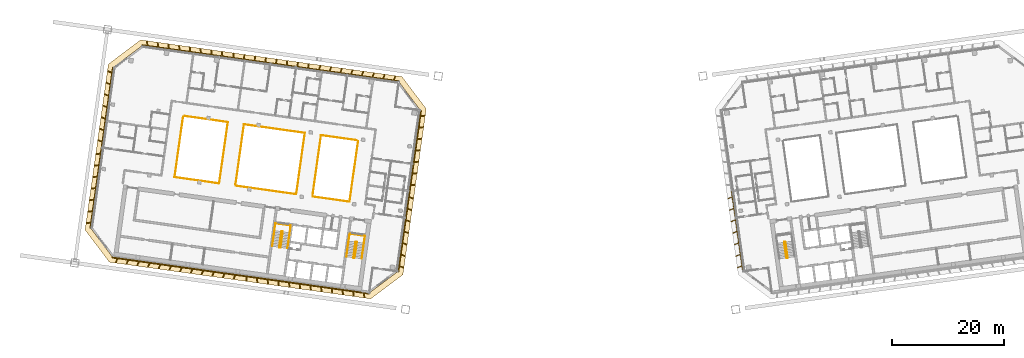
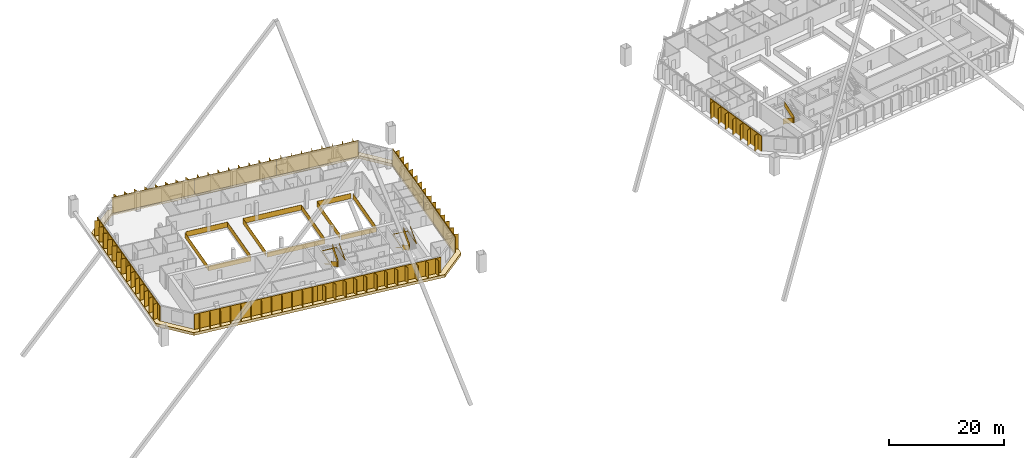
# One storey, part 37 of 38: 11 railings, 10 shading devices, 1 covering.
"""IFC4 building model written with IfcOpenShell, lengths in metres."""

from ifc_helpers import new_model, si_unit, direction, frame, origin, origin_2d, place, context, subcontext, project, spatial, polyline, rectangle, outline, extrude, material, layer, layer_set, type_object, element, save


model = new_model("IFC4")

# Units and contexts
model_context = context("Model", 3, precision=1e-05, world=origin(), true_north=direction((0.0, 1.0)))
body_context = subcontext(model_context, "Body", "Model", "MODEL_VIEW")
ifc_project = project(units=[si_unit("LENGTHUNIT", "METRE"), si_unit("AREAUNIT", "SQUARE_METRE"), si_unit("VOLUMEUNIT", "CUBIC_METRE"), si_unit("PLANEANGLEUNIT", "RADIAN"), si_unit("MASSUNIT", "GRAM", prefix="KILO")], contexts=[model_context])

# Site, building, storey
site_placement = place(None, origin())
site = spatial("IfcSite", under=ifc_project, at=site_placement, CompositionType="ELEMENT")
building_placement = place(site_placement, origin())
building = spatial("IfcBuilding", under=site, at=building_placement, Name="Mirante Cascada Hotel Towers", CompositionType="ELEMENT")
storey_placement = place(building_placement, frame((0.0, 0.0, 184.0)))
storey = spatial("IfcBuildingStorey", under=building, at=storey_placement, Name="L43", CompositionType="ELEMENT", Elevation=184.0)

# Railings
ifc_material_1 = material(Name="Toughened glass with stainless steel handrail", Category="steel")
railing_type_1 = type_object("IfcRailingType", Name="Atrium guard 1100 glass balustrade", PredefinedType="GUARDRAIL", material=ifc_material_1)
railing_1_placement = place(storey_placement, frame((-37.864, 6.7125, 0.0)))
element("IfcRailing", 1, at=railing_1_placement, inside=storey, type_object=railing_type_1, Name="GUARD 1-L43-1", PredefinedType="GUARDRAIL", context=body_context, shape_type="SweptSolid", body=[
    extrude(rectangle(XDim=0.048, YDim=0.048, at=origin_2d()), frame((0.0, 0.0, 1.076), z_axis=(-0.1391712, -0.9902683, 0.0), x_axis=(0.9902683, -0.1391712, 0.0)), (0.0, 0.0, 1.0), 10.9333),
    extrude(rectangle(XDim=0.02, YDim=1.052, at=origin_2d()), frame((0.0, 0.0, 0.526), z_axis=(-0.1391712, -0.9902683, 0.0), x_axis=(0.9902683, -0.1391712, 0.0)), (0.0, 0.0, 1.0), 10.9333),
    extrude(rectangle(XDim=0.048, YDim=0.048, at=origin_2d()), frame((-1.5216, -10.8269, 1.076), z_axis=(-0.9902663, 0.1391859, 0.0), x_axis=(-0.1391859, -0.9902663, 0.0)), (0.0, 0.0, 1.0), 6.6458),
    extrude(rectangle(XDim=0.02, YDim=1.052, at=origin_2d()), frame((-1.5216, -10.8269, 0.526), z_axis=(-0.9902663, 0.1391859, 0.0), x_axis=(-0.1391859, -0.9902663, 0.0)), (0.0, 0.0, 1.0), 6.6458),
    extrude(rectangle(XDim=0.048, YDim=0.048, at=origin_2d()), frame((-8.1027, -9.9019, 1.076), z_axis=(0.7071068, -0.7071068, 0.0), x_axis=(0.7071068, 0.7071068, 0.0)), (0.0, 0.0, 1.0), 0.0001),
    extrude(rectangle(XDim=0.02, YDim=1.052, at=origin_2d()), frame((-8.1027, -9.9019, 0.526), z_axis=(0.7071068, -0.7071068, 0.0), x_axis=(0.7071068, 0.7071068, 0.0)), (0.0, 0.0, 1.0), 0.0001),
])
railing_2_placement = place(storey_placement, frame((-48.9375, -2.7719, 0.0)))
element("IfcRailing", 2, at=railing_2_placement, inside=storey, type_object=railing_type_1, Name="GUARD 1-L43-2", PredefinedType="GUARDRAIL", context=body_context, shape_type="SweptSolid", body=[
    extrude(rectangle(XDim=0.048, YDim=0.048, at=origin_2d()), frame((0.0, 0.0, 1.076), z_axis=(-0.9902688, 0.1391675, 0.0), x_axis=(-0.1391675, -0.9902688, 0.0)), (0.0, 0.0, 1.0), 10.866),
    extrude(rectangle(XDim=0.02, YDim=1.052, at=origin_2d()), frame((0.0, 0.0, 0.526), z_axis=(-0.9902688, 0.1391675, 0.0), x_axis=(-0.1391675, -0.9902688, 0.0)), (0.0, 0.0, 1.0), 10.866),
])
railing_3_placement = place(storey_placement, frame((-62.6686, -0.8421, 0.0)))
element("IfcRailing", 3, at=railing_3_placement, inside=storey, type_object=railing_type_1, Name="GUARD 1-L43-3", PredefinedType="GUARDRAIL", context=body_context, shape_type="SweptSolid", body=[
    extrude(rectangle(XDim=0.048, YDim=0.048, at=origin_2d()), frame((0.0, 0.0, 1.076), z_axis=(-0.9902687, 0.1391689, 0.0), x_axis=(-0.1391689, -0.9902687, 0.0)), (0.0, 0.0, 1.0), 7.9881),
    extrude(rectangle(XDim=0.02, YDim=1.052, at=origin_2d()), frame((0.0, 0.0, 0.526), z_axis=(-0.9902687, 0.1391689, 0.0), x_axis=(-0.1391689, -0.9902687, 0.0)), (0.0, 0.0, 1.0), 7.9881),
    extrude(rectangle(XDim=0.048, YDim=0.048, at=origin_2d()), frame((-7.9104, 1.1117, 1.076), z_axis=(0.1391712, 0.9902683, 0.0), x_axis=(-0.9902683, 0.1391712, 0.0)), (0.0, 0.0, 1.0), 10.9333),
    extrude(rectangle(XDim=0.02, YDim=1.052, at=origin_2d()), frame((-7.9104, 1.1117, 0.526), z_axis=(0.1391712, 0.9902683, 0.0), x_axis=(-0.9902683, 0.1391712, 0.0)), (0.0, 0.0, 1.0), 10.9333),
])
railing_4_placement = place(storey_placement, frame((-62.5789, -0.5562, 0.0)))
element("IfcRailing", 4, at=railing_4_placement, inside=storey, type_object=railing_type_1, Name="GUARD 1-L43-4", PredefinedType="GUARDRAIL", context=body_context, shape_type="SweptSolid", body=[
    extrude(rectangle(XDim=0.048, YDim=0.048, at=origin_2d()), frame((0.0, 0.0, 1.076), z_axis=(0.1391702, 0.9902685, 0.0), x_axis=(-0.9902685, 0.1391702, 0.0)), (0.0, 0.0, 1.0), 10.7545),
    extrude(rectangle(XDim=0.02, YDim=1.052, at=origin_2d()), frame((0.0, 0.0, 0.526), z_axis=(0.1391702, 0.9902685, 0.0), x_axis=(-0.9902685, 0.1391702, 0.0)), (0.0, 0.0, 1.0), 10.7545),
    extrude(rectangle(XDim=0.048, YDim=0.048, at=origin_2d()), frame((1.4967, 10.6498, 1.076), z_axis=(-0.9902701, 0.1391589, 0.0), x_axis=(-0.1391589, -0.9902701, 0.0)), (0.0, 0.0, 1.0), 7.7609),
    extrude(rectangle(XDim=0.02, YDim=1.052, at=origin_2d()), frame((1.4967, 10.6498, 0.526), z_axis=(-0.9902701, 0.1391589, 0.0), x_axis=(-0.1391589, -0.9902701, 0.0)), (0.0, 0.0, 1.0), 7.7609),
])
railing_5_placement = place(storey_placement, frame((-48.8478, -2.486, 0.0)))
element("IfcRailing", 5, at=railing_5_placement, inside=storey, type_object=railing_type_1, Name="GUARD 1-L43-5", PredefinedType="GUARDRAIL", context=body_context, shape_type="SweptSolid", body=[
    extrude(rectangle(XDim=0.048, YDim=0.048, at=origin_2d()), frame((0.0, 0.0, 1.076), z_axis=(0.1391702, 0.9902685, 0.0), x_axis=(-0.9902685, 0.1391702, 0.0)), (0.0, 0.0, 1.0), 10.7545),
    extrude(rectangle(XDim=0.02, YDim=1.052, at=origin_2d()), frame((0.0, 0.0, 0.526), z_axis=(0.1391702, 0.9902685, 0.0), x_axis=(-0.9902685, 0.1391702, 0.0)), (0.0, 0.0, 1.0), 10.7545),
    extrude(rectangle(XDim=0.048, YDim=0.048, at=origin_2d()), frame((1.4967, 10.6498, 1.076), z_axis=(-0.9902682, 0.1391724, 0.0), x_axis=(-0.1391724, -0.9902682, 0.0)), (0.0, 0.0, 1.0), 10.9641),
    extrude(rectangle(XDim=0.02, YDim=1.052, at=origin_2d()), frame((1.4967, 10.6498, 0.526), z_axis=(-0.9902682, 0.1391724, 0.0), x_axis=(-0.1391724, -0.9902682, 0.0)), (0.0, 0.0, 1.0), 10.9641),
    extrude(rectangle(XDim=0.048, YDim=0.048, at=origin_2d()), frame((-9.3607, 12.1757, 1.076), z_axis=(-0.1391702, -0.9902685, 0.0), x_axis=(0.9902685, -0.1391702, 0.0)), (0.0, 0.0, 1.0), 10.7545),
    extrude(rectangle(XDim=0.02, YDim=1.052, at=origin_2d()), frame((-9.3607, 12.1757, 0.526), z_axis=(-0.1391702, -0.9902685, 0.0), x_axis=(0.9902685, -0.1391702, 0.0)), (0.0, 0.0, 1.0), 10.7545),
])
railing_6_placement = place(storey_placement, frame((-38.1213, 6.8666, 0.0)))
element("IfcRailing", 6, at=railing_6_placement, inside=storey, type_object=railing_type_1, Name="GUARD 1-L43-6", PredefinedType="GUARDRAIL", context=body_context, shape_type="SweptSolid", body=[
    extrude(rectangle(XDim=0.048, YDim=0.048, at=origin_2d()), frame((0.0, 0.0, 1.076), z_axis=(-0.9902679, 0.1391744, 0.0), x_axis=(-0.1391744, -0.9902679, 0.0)), (0.0, 0.0, 1.0), 6.4186),
    extrude(rectangle(XDim=0.02, YDim=1.052, at=origin_2d()), frame((0.0, 0.0, 0.526), z_axis=(-0.9902679, 0.1391744, 0.0), x_axis=(-0.1391744, -0.9902679, 0.0)), (0.0, 0.0, 1.0), 6.4186),
    extrude(rectangle(XDim=0.048, YDim=0.048, at=origin_2d()), frame((-6.3561, 0.8933, 1.076), z_axis=(-0.1391702, -0.9902685, 0.0), x_axis=(0.9902685, -0.1391702, 0.0)), (0.0, 0.0, 1.0), 10.7545),
    extrude(rectangle(XDim=0.02, YDim=1.052, at=origin_2d()), frame((-6.3561, 0.8933, 0.526), z_axis=(-0.1391702, -0.9902685, 0.0), x_axis=(0.9902685, -0.1391702, 0.0)), (0.0, 0.0, 1.0), 10.7545),
])

# Covering
ifc_material_2 = material(Name="Precast concrete C40/50 white", Category="concrete")
ifc_layer = layer(ifc_material_2, 0.6)
ifc_layer_set = layer_set([ifc_layer], Name="Precast concrete SUNSHADE band 1000x600")
covering_type = type_object("IfcCoveringType", Name="Precast concrete SUNSHADE band 1000x600", PredefinedType="CLADDING", material=ifc_layer_set)
covering_placement = place(storey_placement, frame((0.0, 0.0, -0.45)))
element("IfcCovering", 7, at=covering_placement, inside=storey, type_object=covering_type, Name="Precast concrete SUNSHADE band T1 L43", PredefinedType="CLADDING", context=body_context, shape_type="SweptSolid", body=[
    extrude(outline(polyline([(-86.5404, -9.1145), (-82.3891, 20.4236), (-76.645, 24.7521), (-30.0541, 18.2041), (-25.7256, 12.4601), (-29.8769, -17.0781), (-35.621, -21.4066), (-82.2119, -14.8586), (-86.5404, -9.1145)]), holes=[polyline([(-26.7735, 12.189), (-30.6034, 17.2715), (-76.374, 23.7042), (-81.4565, 19.8742), (-85.4925, -8.8435), (-81.6626, -13.926), (-35.892, -20.3587), (-30.8095, -16.5287), (-26.7735, 12.189)])]), origin(), (0.0, 0.0, 1.0), 0.6),
])

# Railings
ifc_material_3 = material(Name="Painted steel", Category="steel")
railing_type_2 = type_object("IfcRailingType", Name="Stair guard 1100 steel balustrade", PredefinedType="GUARDRAIL", material=ifc_material_3)
railing_7_placement = place(storey_placement, frame((-38.1178, -11.2603, 0.0)))
element("IfcRailing", 8, at=railing_7_placement, inside=storey, type_object=railing_type_2, Name="L43 ST1-A stair guard 1", PredefinedType="GUARDRAIL", context=body_context, shape_type="SweptSolid", body=[
    extrude(rectangle(XDim=0.048, YDim=0.048, at=origin_2d()), frame((0.0, 0.0, 1.076), z_axis=(-0.9903326, 0.1387133, 0.0), x_axis=(-0.1387133, -0.9903326, 0.0)), (0.0, 0.0, 1.0), 0.1499),
    extrude(rectangle(XDim=0.02, YDim=1.052, at=origin_2d()), frame((0.0, 0.0, 0.526), z_axis=(-0.9903326, 0.1387133, 0.0), x_axis=(-0.1387133, -0.9903326, 0.0)), (0.0, 0.0, 1.0), 0.1499),
    extrude(rectangle(XDim=0.048, YDim=0.048, at=origin_2d()), frame((-0.1485, 0.0208, 1.076), z_axis=(-0.7991505, -0.6011309, 0.0), x_axis=(0.6011309, -0.7991505, 0.0)), (0.0, 0.9254529, 0.3788627), 0.1866),
    extrude(rectangle(XDim=0.02, YDim=1.052, at=origin_2d()), frame((-0.1485, 0.0208, 0.526), z_axis=(-0.7991505, -0.6011309, 0.0), x_axis=(0.6011309, -0.7991505, 0.0)), (0.0, 0.9254529, 0.3788627), 0.1866),
    extrude(rectangle(XDim=0.048, YDim=0.048, at=origin_2d()), frame((-0.205, -0.0217, 1.2487), z_axis=(-0.139176, -0.9902677, 0.0), x_axis=(0.9902677, -0.139176, 0.0)), (0.0, 0.5250212, 0.8510891), 3.29),
    extrude(rectangle(XDim=0.02, YDim=1.052, at=origin_2d()), frame((-0.205, -0.0217, 0.6987), z_axis=(-0.139176, -0.9902677, 0.0), x_axis=(0.9902677, -0.139176, 0.0)), (0.0, 0.5250212, 0.8510891), 3.29),
    extrude(rectangle(XDim=0.048, YDim=0.048, at=origin_2d()), frame((-0.5947, -2.7945, 2.976), z_axis=(0.9270311, -0.3749843, 0.0), x_axis=(0.3749843, 0.9270311, 0.0)), (0.0, 0.0, 1.0), 0.2061),
    extrude(rectangle(XDim=0.02, YDim=1.052, at=origin_2d()), frame((-0.5947, -2.7945, 2.426), z_axis=(0.9270311, -0.3749843, 0.0), x_axis=(0.3749843, 0.9270311, 0.0)), (0.0, 0.0, 1.0), 0.2061),
    extrude(rectangle(XDim=0.048, YDim=0.048, at=origin_2d()), frame((-0.4036, -2.8718, 2.976), z_axis=(-0.9902408, 0.1393672, 0.0), x_axis=(-0.1393672, -0.9902408, 0.0)), (0.0, 0.0, 1.0), 0.15),
    extrude(rectangle(XDim=0.02, YDim=1.052, at=origin_2d()), frame((-0.4036, -2.8718, 2.426), z_axis=(-0.9902408, 0.1393672, 0.0), x_axis=(-0.1393672, -0.9902408, 0.0)), (0.0, 0.0, 1.0), 0.15),
    extrude(rectangle(XDim=0.048, YDim=0.048, at=origin_2d()), frame((-0.5521, -2.8509, 2.976), z_axis=(0.9944948, 0.1047858, 0.0), x_axis=(-0.1047858, 0.9944948, 0.0)), (0.0, 0.6422034, 0.7665343), 0.2689),
    extrude(rectangle(XDim=0.02, YDim=1.052, at=origin_2d()), frame((-0.5521, -2.8509, 2.426), z_axis=(0.9944948, 0.1047858, 0.0), x_axis=(-0.1047858, 0.9944948, 0.0)), (0.0, 0.6422034, 0.7665343), 0.2689),
    extrude(rectangle(XDim=0.048, YDim=0.048, at=origin_2d()), frame((-0.3471, -2.8293, 3.1487), z_axis=(0.139176, 0.9902677, 0.0), x_axis=(-0.9902677, 0.139176, 0.0)), (0.0, 0.5250212, 0.8510891), 3.29),
    extrude(rectangle(XDim=0.02, YDim=1.052, at=origin_2d()), frame((-0.3471, -2.8293, 2.5987), z_axis=(0.139176, 0.9902677, 0.0), x_axis=(-0.9902677, 0.139176, 0.0)), (0.0, 0.5250212, 0.8510891), 3.29),
])
railing_8_placement = place(storey_placement, frame((-51.3379, -9.4024, 0.0)))
element("IfcRailing", 9, at=railing_8_placement, inside=storey, type_object=railing_type_2, Name="L43 ST1-B stair guard 1", PredefinedType="GUARDRAIL", context=body_context, shape_type="SweptSolid", body=[
    extrude(rectangle(XDim=0.048, YDim=0.048, at=origin_2d()), frame((0.0, 0.0, 1.076), z_axis=(-0.9902408, 0.1393672, 0.0), x_axis=(-0.1393672, -0.9902408, 0.0)), (0.0, 0.0, 1.0), 0.15),
    extrude(rectangle(XDim=0.02, YDim=1.052, at=origin_2d()), frame((0.0, 0.0, 0.526), z_axis=(-0.9902408, 0.1393672, 0.0), x_axis=(-0.1393672, -0.9902408, 0.0)), (0.0, 0.0, 1.0), 0.15),
    extrude(rectangle(XDim=0.048, YDim=0.048, at=origin_2d()), frame((-0.1485, 0.0209, 1.076), z_axis=(-0.7984711, -0.6020331, 0.0), x_axis=(0.6020331, -0.7984711, 0.0)), (0.0, 0.9253398, 0.3791387), 0.1866),
    extrude(rectangle(XDim=0.02, YDim=1.052, at=origin_2d()), frame((-0.1485, 0.0209, 0.526), z_axis=(-0.7984711, -0.6020331, 0.0), x_axis=(0.6020331, -0.7984711, 0.0)), (0.0, 0.9253398, 0.3791387), 0.1866),
    extrude(rectangle(XDim=0.048, YDim=0.048, at=origin_2d()), frame((-0.205, -0.0217, 1.2487), z_axis=(-0.139181, -0.990267, 0.0), x_axis=(0.990267, -0.139181, 0.0)), (0.0, 0.5250347, 0.8510808), 3.2899),
    extrude(rectangle(XDim=0.02, YDim=1.052, at=origin_2d()), frame((-0.205, -0.0217, 0.6987), z_axis=(-0.139181, -0.990267, 0.0), x_axis=(0.990267, -0.139181, 0.0)), (0.0, 0.5250347, 0.8510808), 3.2899),
    extrude(rectangle(XDim=0.048, YDim=0.048, at=origin_2d()), frame((-0.5947, -2.7944, 2.976), z_axis=(0.9268624, -0.3754011, 0.0), x_axis=(0.3754011, 0.9268624, 0.0)), (0.0, 0.0, 1.0), 0.2062),
    extrude(rectangle(XDim=0.02, YDim=1.052, at=origin_2d()), frame((-0.5947, -2.7944, 2.426), z_axis=(0.9268624, -0.3754011, 0.0), x_axis=(0.3754011, 0.9268624, 0.0)), (0.0, 0.0, 1.0), 0.2062),
    extrude(rectangle(XDim=0.048, YDim=0.048, at=origin_2d()), frame((-0.4036, -2.8718, 2.976), z_axis=(-0.9902408, 0.1393672, 0.0), x_axis=(-0.1393672, -0.9902408, 0.0)), (0.0, 0.0, 1.0), 0.15),
    extrude(rectangle(XDim=0.02, YDim=1.052, at=origin_2d()), frame((-0.4036, -2.8718, 2.426), z_axis=(-0.9902408, 0.1393672, 0.0), x_axis=(-0.1393672, -0.9902408, 0.0)), (0.0, 0.0, 1.0), 0.15),
    extrude(rectangle(XDim=0.048, YDim=0.048, at=origin_2d()), frame((-0.5521, -2.8509, 2.976), z_axis=(0.9944441, 0.1052656, 0.0), x_axis=(-0.1052656, 0.9944441, 0.0)), (0.0, 0.6421842, 0.7665504), 0.2689),
    extrude(rectangle(XDim=0.02, YDim=1.052, at=origin_2d()), frame((-0.5521, -2.8509, 2.426), z_axis=(0.9944441, 0.1052656, 0.0), x_axis=(-0.1052656, 0.9944441, 0.0)), (0.0, 0.6421842, 0.7665504), 0.2689),
    extrude(rectangle(XDim=0.048, YDim=0.048, at=origin_2d()), frame((-0.3471, -2.8292, 3.1487), z_axis=(0.139181, 0.990267, 0.0), x_axis=(-0.990267, 0.139181, 0.0)), (0.0, 0.5250347, 0.8510808), 3.2899),
    extrude(rectangle(XDim=0.02, YDim=1.052, at=origin_2d()), frame((-0.3471, -2.8292, 2.5987), z_axis=(0.139181, 0.990267, 0.0), x_axis=(-0.990267, 0.139181, 0.0)), (0.0, 0.5250347, 0.8510808), 3.2899),
])
railing_9_placement = place(storey_placement, frame((38.2663, -11.2395, 0.0)))
element("IfcRailing", 10, at=railing_9_placement, inside=storey, type_object=railing_type_2, Name="L43 ST2-A stair guard 1", PredefinedType="GUARDRAIL", context=body_context, shape_type="SweptSolid", body=[
    extrude(rectangle(XDim=0.048, YDim=0.048, at=origin_2d()), frame((0.0, 0.0, 1.076), z_axis=(-0.9903326, -0.1387133, 0.0), x_axis=(0.1387133, -0.9903326, 0.0)), (0.0, 0.0, 1.0), 0.1499),
    extrude(rectangle(XDim=0.02, YDim=1.052, at=origin_2d()), frame((0.0, 0.0, 0.526), z_axis=(-0.9903326, -0.1387133, 0.0), x_axis=(0.1387133, -0.9903326, 0.0)), (0.0, 0.0, 1.0), 0.1499),
    extrude(rectangle(XDim=0.048, YDim=0.048, at=origin_2d()), frame((-0.1485, -0.0208, 1.076), z_axis=(-0.6020331, -0.7984711, 0.0), x_axis=(0.7984711, -0.6020331, 0.0)), (0.0, 0.9253398, 0.3791387), 0.1866),
    extrude(rectangle(XDim=0.02, YDim=1.052, at=origin_2d()), frame((-0.1485, -0.0208, 0.526), z_axis=(-0.6020331, -0.7984711, 0.0), x_axis=(0.7984711, -0.6020331, 0.0)), (0.0, 0.9253398, 0.3791387), 0.1866),
    extrude(rectangle(XDim=0.048, YDim=0.048, at=origin_2d()), frame((-0.1911, -0.0773, 1.2487), z_axis=(0.139176, -0.9902677, 0.0), x_axis=(0.9902677, 0.139176, 0.0)), (0.0, 0.5250212, 0.8510891), 3.29),
    extrude(rectangle(XDim=0.02, YDim=1.052, at=origin_2d()), frame((-0.1911, -0.0773, 0.6987), z_axis=(0.139176, -0.9902677, 0.0), x_axis=(0.9902677, 0.139176, 0.0)), (0.0, 0.5250212, 0.8510891), 3.29),
    extrude(rectangle(XDim=0.048, YDim=0.048, at=origin_2d()), frame((0.1986, -2.8501, 2.976), z_axis=(0.9944948, -0.1047858, 0.0), x_axis=(0.1047858, 0.9944948, 0.0)), (0.0, 0.0, 1.0), 0.2061),
    extrude(rectangle(XDim=0.02, YDim=1.052, at=origin_2d()), frame((0.1986, -2.8501, 2.426), z_axis=(0.9944948, -0.1047858, 0.0), x_axis=(0.1047858, 0.9944948, 0.0)), (0.0, 0.0, 1.0), 0.2061),
    extrude(rectangle(XDim=0.048, YDim=0.048, at=origin_2d()), frame((0.4036, -2.8717, 2.976), z_axis=(-0.9902408, -0.1393672, 0.0), x_axis=(0.1393672, -0.9902408, 0.0)), (0.0, 0.0, 1.0), 0.15),
    extrude(rectangle(XDim=0.02, YDim=1.052, at=origin_2d()), frame((0.4036, -2.8717, 2.426), z_axis=(-0.9902408, -0.1393672, 0.0), x_axis=(0.1393672, -0.9902408, 0.0)), (0.0, 0.0, 1.0), 0.15),
    extrude(rectangle(XDim=0.048, YDim=0.048, at=origin_2d()), frame((0.2551, -2.8926, 2.976), z_axis=(0.9270311, 0.3749843, 0.0), x_axis=(-0.3749843, 0.9270311, 0.0)), (0.0, 0.6421903, 0.7665452), 0.2689),
    extrude(rectangle(XDim=0.02, YDim=1.052, at=origin_2d()), frame((0.2551, -2.8926, 2.426), z_axis=(0.9270311, 0.3749843, 0.0), x_axis=(-0.3749843, 0.9270311, 0.0)), (0.0, 0.6421903, 0.7665452), 0.2689),
    extrude(rectangle(XDim=0.048, YDim=0.048, at=origin_2d()), frame((0.4462, -2.8153, 3.1487), z_axis=(-0.139176, 0.9902677, 0.0), x_axis=(-0.9902677, -0.139176, 0.0)), (0.0, 0.5250212, 0.8510891), 3.29),
    extrude(rectangle(XDim=0.02, YDim=1.052, at=origin_2d()), frame((0.4462, -2.8153, 2.5987), z_axis=(-0.139176, 0.9902677, 0.0), x_axis=(-0.9902677, -0.139176, 0.0)), (0.0, 0.5250212, 0.8510891), 3.29),
])
ifc_material_4 = material(Name="Painted steel", Category="steel")
railing_type_3 = type_object("IfcRailingType", Name="Stair handrail 900 steel tube", PredefinedType="HANDRAIL", material=ifc_material_4)
railing_10_placement = place(storey_placement, frame((-39.5606, -11.1081, 0.1727)))
element("IfcRailing", 11, at=railing_10_placement, inside=storey, type_object=railing_type_3, Name="L43 ST1-A stair handrail 1", PredefinedType="HANDRAIL", context=body_context, shape_type="SweptSolid", body=[
    extrude(rectangle(XDim=0.048, YDim=0.048, at=origin_2d()), frame((0.0, 0.0, 0.876), z_axis=(-0.139181, -0.990267, 0.0), x_axis=(0.990267, -0.139181, 0.0)), (0.0, 0.5250347, 0.8510808), 3.2899),
    extrude(rectangle(XDim=0.048, YDim=0.048, at=origin_2d()), frame((-0.3897, -2.7727, 2.6033), z_axis=(0.1391707, 0.9902684, 0.0), x_axis=(-0.9902684, 0.1391707, 0.0)), (0.0, 0.0420846, 0.999114), 4.1036),
    extrude(rectangle(XDim=0.048, YDim=0.048, at=origin_2d()), frame((0.1809, 1.2874, 2.776), z_axis=(0.9902691, -0.1391657, 0.0), x_axis=(0.1391657, 0.9902691, 0.0)), (0.0, 0.0, 1.0), 2.75),
    extrude(rectangle(XDim=0.048, YDim=0.048, at=origin_2d()), frame((2.9041, 0.9047, 2.776), z_axis=(-0.1391707, -0.9902684, 0.0), x_axis=(0.9902684, -0.1391707, 0.0)), (0.0, 0.0, 1.0), 4.1),
    extrude(rectangle(XDim=0.048, YDim=0.048, at=origin_2d()), frame((2.3335, -3.1554, 2.776), z_axis=(0.139181, 0.990267, 0.0), x_axis=(-0.990267, 0.139181, 0.0)), (0.0, 0.5250347, 0.8510808), 3.2899),
])
railing_11_placement = place(storey_placement, frame((-52.7807, -9.2501, 0.1727)))
element("IfcRailing", 12, at=railing_11_placement, inside=storey, type_object=railing_type_3, Name="L43 ST1-B stair handrail 1", PredefinedType="HANDRAIL", context=body_context, shape_type="SweptSolid", body=[
    extrude(rectangle(XDim=0.048, YDim=0.048, at=origin_2d()), frame((0.0, 0.0, 0.876), z_axis=(-0.139181, -0.990267, 0.0), x_axis=(0.990267, -0.139181, 0.0)), (0.0, 0.5250347, 0.8510808), 3.2899),
    extrude(rectangle(XDim=0.048, YDim=0.048, at=origin_2d()), frame((-0.3897, -2.7727, 2.6033), z_axis=(0.1391707, 0.9902684, 0.0), x_axis=(-0.9902684, 0.1391707, 0.0)), (0.0, 0.0420846, 0.999114), 4.1036),
    extrude(rectangle(XDim=0.048, YDim=0.048, at=origin_2d()), frame((0.1809, 1.2874, 2.776), z_axis=(0.9902641, -0.1392013, 0.0), x_axis=(0.1392013, 0.9902641, 0.0)), (0.0, 0.0, 1.0), 2.75),
    extrude(rectangle(XDim=0.048, YDim=0.048, at=origin_2d()), frame((2.9041, 0.9046, 2.776), z_axis=(-0.1391707, -0.9902684, 0.0), x_axis=(0.9902684, -0.1391707, 0.0)), (0.0, 0.0, 1.0), 4.1),
    extrude(rectangle(XDim=0.048, YDim=0.048, at=origin_2d()), frame((2.3335, -3.1555, 2.776), z_axis=(0.139176, 0.9902677, 0.0), x_axis=(-0.9902677, 0.139176, 0.0)), (0.0, 0.5250212, 0.8510891), 3.29),
])

# Shading devices
ifc_material_5 = material(Name="White precast concrete C50/60 fin", Category="concrete")
shading_device_type = type_object("IfcShadingDeviceType", Name="Vertical fin set 4500x900", PredefinedType="USERDEFINED", material=ifc_material_5)
shading_device_1_placement = place(storey_placement, origin())
element("IfcShadingDevice", 13, at=shading_device_1_placement, inside=storey, type_object=shading_device_type, Name="FIN T1 L43 front 1", ObjectType="FIN", PredefinedType="USERDEFINED", context=body_context, shape_type="SweptSolid", body=[
    extrude(outline(polyline([(-62.0221, 21.8386), (-61.0963, 21.7085), (-61.1171, 21.56), (-76.374, 23.7042), (-76.3531, 23.8527), (-75.4538, 23.7263), (-75.5559, 24.5576), (-75.4765, 24.5673), (-75.3718, 23.7148), (-73.5467, 23.4583), (-73.6488, 24.2896), (-73.5694, 24.2993), (-73.4647, 23.4468), (-71.6396, 23.1903), (-71.7417, 24.0215), (-71.6623, 24.0313), (-71.5576, 23.1787), (-69.7325, 22.9222), (-69.8346, 23.7535), (-69.7552, 23.7633), (-69.6505, 22.9107), (-67.8254, 22.6542), (-67.9275, 23.4855), (-67.8481, 23.4952), (-67.7434, 22.6427), (-65.9183, 22.3862), (-66.0204, 23.2175), (-65.941, 23.2272), (-65.8363, 22.3747), (-64.0112, 22.1182), (-64.1133, 22.9494), (-64.0338, 22.9592), (-63.9292, 22.1066), (-62.1041, 21.8501), (-62.2061, 22.6814), (-62.1267, 22.6912), (-62.0221, 21.8386)])), origin(), (0.0, 0.0, 1.0), 3.35),
])
shading_device_2_placement = place(storey_placement, origin())
element("IfcShadingDevice", 14, at=shading_device_2_placement, inside=storey, type_object=shading_device_type, Name="FIN T1 L43 front 2", ObjectType="FIN", PredefinedType="USERDEFINED", context=body_context, shape_type="SweptSolid", body=[
    extrude(outline(polyline([(-46.7533, 19.6927), (-45.8394, 19.5643), (-45.8603, 19.4157), (-61.1171, 21.56), (-61.0963, 21.7085), (-60.1823, 21.58), (-60.064, 22.4218), (-59.9848, 22.4106), (-60.1031, 21.5689), (-58.2752, 21.312), (-58.1569, 22.1537), (-58.0777, 22.1426), (-58.196, 21.3009), (-56.3681, 21.044), (-56.2498, 21.8857), (-56.1706, 21.8746), (-56.2889, 21.0329), (-54.461, 20.776), (-54.3427, 21.6177), (-54.2635, 21.6066), (-54.3818, 20.7648), (-52.5539, 20.5079), (-52.4356, 21.3497), (-52.3564, 21.3385), (-52.4747, 20.4968), (-50.6468, 20.2399), (-50.5285, 21.0816), (-50.4493, 21.0705), (-50.5676, 20.2288), (-48.7397, 19.9719), (-48.6214, 20.8136), (-48.5421, 20.8025), (-48.6604, 19.9608), (-46.8326, 19.7039), (-46.7143, 20.5456), (-46.635, 20.5345), (-46.7533, 19.6927)])), origin(), (0.0, 0.0, 1.0), 3.35),
])
shading_device_3_placement = place(storey_placement, origin())
element("IfcShadingDevice", 15, at=shading_device_3_placement, inside=storey, type_object=shading_device_type, Name="FIN T1 L43 front 3", ObjectType="FIN", PredefinedType="USERDEFINED", context=body_context, shape_type="SweptSolid", body=[
    extrude(outline(polyline([(-31.4818, 17.5465), (-30.5825, 17.4201), (-30.6034, 17.2715), (-45.8603, 19.4157), (-45.8394, 19.5643), (-44.9136, 19.4342), (-44.578, 20.2248), (-44.5043, 20.1936), (-44.8316, 19.4226), (-43.0065, 19.1661), (-42.6709, 19.9568), (-42.5972, 19.9256), (-42.9245, 19.1546), (-41.0994, 18.8981), (-40.7638, 19.6888), (-40.6901, 19.6575), (-41.0174, 18.8866), (-39.1923, 18.6301), (-38.8566, 19.4208), (-38.783, 19.3895), (-39.1102, 18.6186), (-37.2852, 18.3621), (-36.9495, 19.1527), (-36.8759, 19.1215), (-37.2031, 18.3505), (-35.3781, 18.094), (-35.0424, 18.8847), (-34.9688, 18.8534), (-35.296, 18.0825), (-33.4709, 17.826), (-33.1353, 18.6167), (-33.0617, 18.5854), (-33.3889, 17.8145), (-31.5638, 17.558), (-31.2282, 18.3487), (-31.1546, 18.3174), (-31.4818, 17.5465)])), origin(), (0.0, 0.0, 1.0), 3.35),
])
shading_device_4_placement = place(storey_placement, origin())
element("IfcShadingDevice", 16, at=shading_device_4_placement, inside=storey, type_object=shading_device_type, Name="FIN T1 L43 inner 1", ObjectType="FIN", PredefinedType="USERDEFINED", context=body_context, shape_type="SweptSolid", body=[
    extrude(outline(polyline([(-28.5027, -1.1928), (-28.643, -2.1907), (-28.7915, -2.1698), (-26.7735, 12.189), (-26.625, 12.1682), (-26.7615, 11.1968), (-25.9302, 11.2989), (-25.9204, 11.2195), (-26.773, 11.1148), (-27.0498, 9.1455), (-26.2185, 9.2476), (-26.2087, 9.1682), (-27.0613, 9.0635), (-27.338, 7.0943), (-26.5068, 7.1963), (-26.497, 7.1169), (-27.3496, 7.0123), (-27.6263, 5.043), (-26.7951, 5.1451), (-26.7853, 5.0657), (-27.6379, 4.961), (-27.9146, 2.9917), (-27.0833, 3.0938), (-27.0736, 3.0144), (-27.9261, 2.9097), (-28.2029, 0.9405), (-27.3716, 1.0425), (-27.3619, 0.9631), (-28.2144, 0.8584), (-28.4912, -1.1108), (-27.6599, -1.0087), (-27.6502, -1.0881), (-28.5027, -1.1928)])), origin(), (0.0, 0.0, 1.0), 3.35),
])
shading_device_5_placement = place(storey_placement, origin())
element("IfcShadingDevice", 17, at=shading_device_5_placement, inside=storey, type_object=shading_device_type, Name="FIN T1 L43 inner 2", ObjectType="FIN", PredefinedType="USERDEFINED", context=body_context, shape_type="SweptSolid", body=[
    extrude(outline(polyline([(-30.5245, -15.5782), (-30.661, -16.5496), (-30.8095, -16.5287), (-28.7915, -2.1698), (-28.643, -2.1907), (-28.7832, -3.1886), (-27.9925, -3.5242), (-28.0238, -3.5979), (-28.7947, -3.2706), (-29.0715, -5.2399), (-28.2808, -5.5755), (-28.3121, -5.6491), (-29.083, -5.3219), (-29.3598, -7.2912), (-28.5691, -7.6268), (-28.6004, -7.7004), (-29.3713, -7.3732), (-29.6481, -9.3424), (-28.8574, -9.678), (-28.8887, -9.7517), (-29.6596, -9.4244), (-29.9364, -11.3937), (-29.1457, -11.7293), (-29.1769, -11.803), (-29.9479, -11.4757), (-30.2246, -13.445), (-29.434, -13.7806), (-29.4652, -13.8542), (-30.2362, -13.527), (-30.5129, -15.4962), (-29.7223, -15.8319), (-29.7535, -15.9055), (-30.5245, -15.5782)])), origin(), (0.0, 0.0, 1.0), 3.35),
])
shading_device_6_placement = place(storey_placement, origin())
element("IfcShadingDevice", 18, at=shading_device_6_placement, inside=storey, type_object=shading_device_type, Name="FIN T1 L43 outer 1", ObjectType="FIN", PredefinedType="USERDEFINED", context=body_context, shape_type="SweptSolid", body=[
    extrude(outline(polyline([(-85.493, -7.7693), (-85.2162, -5.8), (-86.0475, -5.9021), (-86.0572, -5.8227), (-85.2047, -5.718), (-84.9279, -3.7488), (-85.7592, -3.8508), (-85.769, -3.7714), (-84.9164, -3.6667), (-84.6396, -1.6975), (-85.4709, -1.7996), (-85.4807, -1.7202), (-84.6281, -1.6155), (-84.3514, 0.3538), (-85.1826, 0.2517), (-85.1924, 0.3311), (-84.3398, 0.4358), (-84.0631, 2.405), (-84.8943, 2.303), (-84.9041, 2.3824), (-84.0515, 2.4871), (-83.7748, 4.4563), (-84.6061, 4.3542), (-84.6158, 4.4336), (-83.7633, 4.5383), (-83.623, 5.5362), (-83.4745, 5.5153), (-85.4925, -8.8435), (-85.641, -8.8227), (-85.5045, -7.8513), (-86.3358, -7.9534), (-86.3455, -7.874), (-85.493, -7.7693)])), origin(), (0.0, 0.0, 1.0), 3.35),
])
shading_device_7_placement = place(storey_placement, origin())
element("IfcShadingDevice", 19, at=shading_device_7_placement, inside=storey, type_object=shading_device_type, Name="FIN T1 L43 outer 2", ObjectType="FIN", PredefinedType="USERDEFINED", context=body_context, shape_type="SweptSolid", body=[
    extrude(outline(polyline([(-83.4712, 6.6161), (-83.1945, 8.5854), (-83.9852, 8.921), (-83.9539, 8.9946), (-83.183, 8.6674), (-82.9062, 10.6367), (-83.6969, 10.9723), (-83.6656, 11.0459), (-82.8947, 10.7187), (-82.6179, 12.6879), (-83.4086, 13.0235), (-83.3773, 13.0972), (-82.6064, 12.7699), (-82.3296, 14.7392), (-83.1203, 15.0748), (-83.089, 15.1485), (-82.3181, 14.8212), (-82.0413, 16.7905), (-82.832, 17.1261), (-82.8007, 17.1997), (-82.0298, 16.8725), (-81.753, 18.8417), (-82.5437, 19.1774), (-82.5125, 19.251), (-81.7415, 18.9238), (-81.605, 19.8951), (-81.4565, 19.8742), (-83.4745, 5.5153), (-83.623, 5.5362), (-83.4828, 6.5341), (-84.2734, 6.8697), (-84.2422, 6.9434), (-83.4712, 6.6161)])), origin(), (0.0, 0.0, 1.0), 3.35),
])
shading_device_8_placement = place(storey_placement, origin())
element("IfcShadingDevice", 20, at=shading_device_8_placement, inside=storey, type_object=shading_device_type, Name="FIN T1 L43 rear 1", ObjectType="FIN", PredefinedType="USERDEFINED", context=body_context, shape_type="SweptSolid", body=[
    extrude(outline(polyline([(-48.3368, -18.7611), (-50.1619, -18.5046), (-50.0598, -19.3359), (-50.1392, -19.3457), (-50.2439, -18.4931), (-52.069, -18.2366), (-51.9669, -19.0679), (-52.0463, -19.0776), (-52.151, -18.2251), (-53.9761, -17.9686), (-53.874, -18.7999), (-53.9534, -18.8096), (-54.0581, -17.957), (-55.8832, -17.7005), (-55.7812, -18.5318), (-55.8606, -18.5416), (-55.9652, -17.689), (-57.7903, -17.4325), (-57.6883, -18.2638), (-57.7677, -18.2735), (-57.8723, -17.421), (-58.7982, -17.2909), (-58.7773, -17.1423), (-35.892, -20.3587), (-35.9129, -20.5072), (-36.8122, -20.3808), (-36.7101, -21.2121), (-36.7895, -21.2218), (-36.8942, -20.3693), (-38.7193, -20.1128), (-38.6172, -20.9441), (-38.6966, -20.9538), (-38.8013, -20.1013), (-40.6264, -19.8448), (-40.5243, -20.676), (-40.6037, -20.6858), (-40.7084, -19.8332), (-42.5335, -19.5767), (-42.4314, -20.408), (-42.5108, -20.4178), (-42.6155, -19.5652), (-44.4406, -19.3087), (-44.3385, -20.14), (-44.4179, -20.1497), (-44.5226, -19.2972), (-46.3477, -19.0407), (-46.2456, -19.872), (-46.325, -19.8817), (-46.4297, -19.0292), (-48.2548, -18.7727), (-48.1527, -19.6039), (-48.2321, -19.6137), (-48.3368, -18.7611)])), origin(), (0.0, 0.0, 1.0), 3.35),
])
shading_device_9_placement = place(storey_placement, origin())
element("IfcShadingDevice", 21, at=shading_device_9_placement, inside=storey, type_object=shading_device_type, Name="FIN T1 L43 rear 2", ObjectType="FIN", PredefinedType="USERDEFINED", context=body_context, shape_type="SweptSolid", body=[
    extrude(outline(polyline([(-71.2486, -15.5411), (-73.0737, -15.2846), (-73.4093, -16.0753), (-73.483, -16.044), (-73.1557, -15.2731), (-74.9808, -15.0166), (-75.3164, -15.8072), (-75.3901, -15.776), (-75.0628, -15.005), (-76.8879, -14.7485), (-77.2235, -15.5392), (-77.2972, -15.5079), (-76.9699, -14.737), (-78.795, -14.4805), (-79.1307, -15.2712), (-79.2043, -15.2399), (-78.877, -14.469), (-80.7021, -14.2125), (-81.0378, -15.0031), (-81.1114, -14.9719), (-80.7842, -14.201), (-81.6834, -14.0746), (-81.6626, -13.926), (-58.7773, -17.1423), (-58.7982, -17.2909), (-59.724, -17.1608), (-60.0596, -17.9514), (-60.1332, -17.9202), (-59.806, -17.1492), (-61.6311, -16.8927), (-61.9667, -17.6834), (-62.0403, -17.6522), (-61.7131, -16.8812), (-63.5382, -16.6247), (-63.8738, -17.4154), (-63.9474, -17.3841), (-63.6202, -16.6132), (-65.4453, -16.3567), (-65.7809, -17.1474), (-65.8545, -17.1161), (-65.5273, -16.3452), (-67.3524, -16.0887), (-67.688, -16.8793), (-67.7617, -16.8481), (-67.4344, -16.0771), (-69.2595, -15.8206), (-69.5951, -16.6113), (-69.6688, -16.58), (-69.3415, -15.8091), (-71.1666, -15.5526), (-71.5022, -16.3433), (-71.5759, -16.312), (-71.2486, -15.5411)])), origin(), (0.0, 0.0, 1.0), 3.35),
])
shading_device_10_placement = place(storey_placement, origin())
element("IfcShadingDevice", 22, at=shading_device_10_placement, inside=storey, type_object=shading_device_type, Name="FIN T2 L43 inner 2", ObjectType="FIN", PredefinedType="USERDEFINED", context=body_context, shape_type="SweptSolid", body=[
    extrude(outline(polyline([(29.7223, -15.8319), (30.5129, -15.4962), (30.2362, -13.527), (29.4652, -13.8542), (29.434, -13.7806), (30.2246, -13.445), (29.9479, -11.4757), (29.1769, -11.803), (29.1457, -11.7293), (29.9364, -11.3937), (29.6596, -9.4244), (28.8887, -9.7517), (28.8574, -9.678), (29.6481, -9.3424), (29.3713, -7.3732), (28.6004, -7.7004), (28.5691, -7.6268), (29.3598, -7.2912), (29.083, -5.3219), (28.3121, -5.6491), (28.2808, -5.5755), (29.0715, -5.2399), (28.7947, -3.2706), (28.0238, -3.5979), (27.9925, -3.5242), (28.7832, -3.1886), (28.643, -2.1907), (28.7915, -2.1698), (30.8095, -16.5287), (30.661, -16.5496), (30.5245, -15.5782), (29.7535, -15.9055), (29.7223, -15.8319)])), origin(), (0.0, 0.0, 1.0), 3.35),
])

save(model, "model.ifc")
